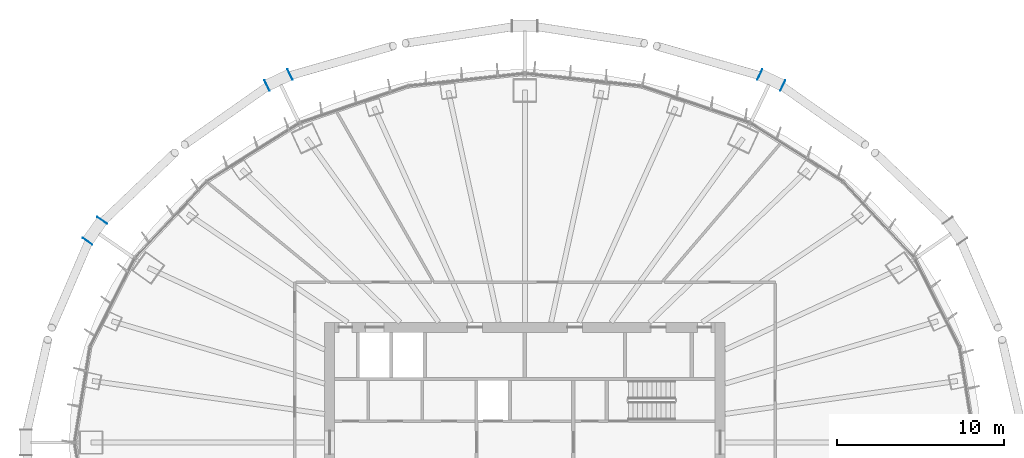
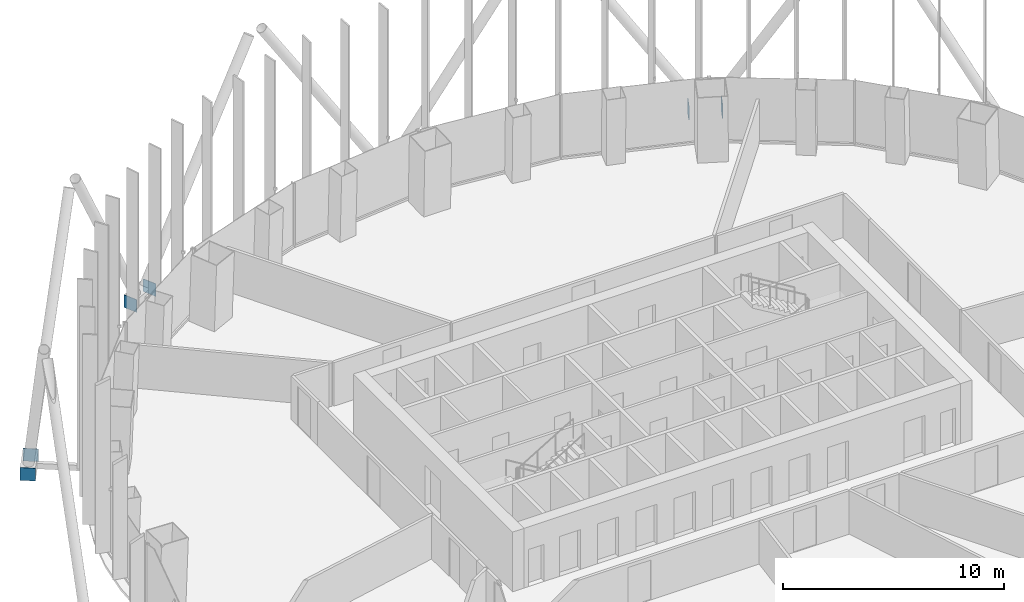
# One storey, part 12 of 21: 6 discrete accessories.
"""IFC4 building model written with IfcOpenShell, lengths in metres."""

from ifc_helpers import new_model, si_unit, direction, frame, origin, origin_2d, place, context, subcontext, project, spatial, rectangle, extrude, material, layer, layer_set, type_object, element, save


model = new_model("IFC4")

# Units and contexts
model_context = context("Model", 3, precision=1e-05, world=origin(), true_north=direction((0.0, 1.0)))
body_context = subcontext(model_context, "Body", "Model", "MODEL_VIEW")
ifc_project = project(units=[si_unit("LENGTHUNIT", "METRE"), si_unit("AREAUNIT", "SQUARE_METRE"), si_unit("VOLUMEUNIT", "CUBIC_METRE"), si_unit("PLANEANGLEUNIT", "RADIAN"), si_unit("MASSUNIT", "GRAM", prefix="KILO")], contexts=[model_context])

# Site, building, storey
site_placement = place(None, origin())
site = spatial("IfcSite", under=ifc_project, at=site_placement, CompositionType="ELEMENT")
building_placement = place(site_placement, origin())
building = spatial("IfcBuilding", under=site, at=building_placement, Name="Siaravel Broadcast Tower", CompositionType="ELEMENT")
storey_placement = place(building_placement, frame((0.0, 0.0, 70.39990234375)))
storey = spatial("IfcBuildingStorey", under=building, at=storey_placement, Name="L16", CompositionType="ELEMENT", Elevation=70.39990234375)

# Discrete accessories
ifc_material = material(Name="Steel S355", Category="steel")
ifc_layer = layer(ifc_material, 0.02001953125)
ifc_layer_set = layer_set([ifc_layer], Name="Steel S355")
discrete_accessory_type = type_object("IfcDiscreteAccessoryType", Name="Steel end plate 20 mm", PredefinedType="USERDEFINED", material=ifc_layer_set)
for number, where, z_axis, x_axis, name in (
    (1, (14.0703125, 22.041015625, -0.5498046875), (0.0, 0.0, 1.0), (-0.904007202, 0.427517227, 0.0), "End plate R07 station 12A"),
    (2, (15.450439453125, 21.38818359375, -0.5498046875), (0.0, 0.0, 1.0), (-0.904007202, 0.427517227, 0.0), "End plate R07 station 12B"),
    (3, (-15.450439453125, 21.38818359375, -0.5498046875), (0.0, 0.0, 1.0), (-0.904007202, -0.427517227, 0.0), "End plate R07 station 24A"),
    (4, (-14.0703125, 22.041015625, -0.5498046875), (0.0, 0.0, 1.0), (-0.904007202, -0.427517227, 0.0), "End plate R07 station 24B"),
    (5, (-26.20556640625, 12.053955078125, -0.5498046875), (0.0, 0.0, 1.0), (-0.576119939, -0.817365167, 0.0), "End plate R07 station 30A"),
    (6, (-25.325927734375, 13.302001953125, -0.5498046875), (0.0, 0.0, 1.0), (-0.576119939, -0.817365167, 0.0), "End plate R07 station 30B"),
):
    element("IfcDiscreteAccessory", number, at=place(storey_placement, frame(where, z_axis=z_axis, x_axis=x_axis)), inside=storey, type_object=discrete_accessory_type, Name=name, ObjectType="END PLATE", PredefinedType="USERDEFINED", context=body_context, shape_type="SweptSolid", body=[
        extrude(rectangle(XDim=0.02001953125, YDim=0.699951171875, at=origin_2d()), origin(), (0.0, 0.0, 1.0), 0.699951171875),
    ])

save(model, "model.ifc")
